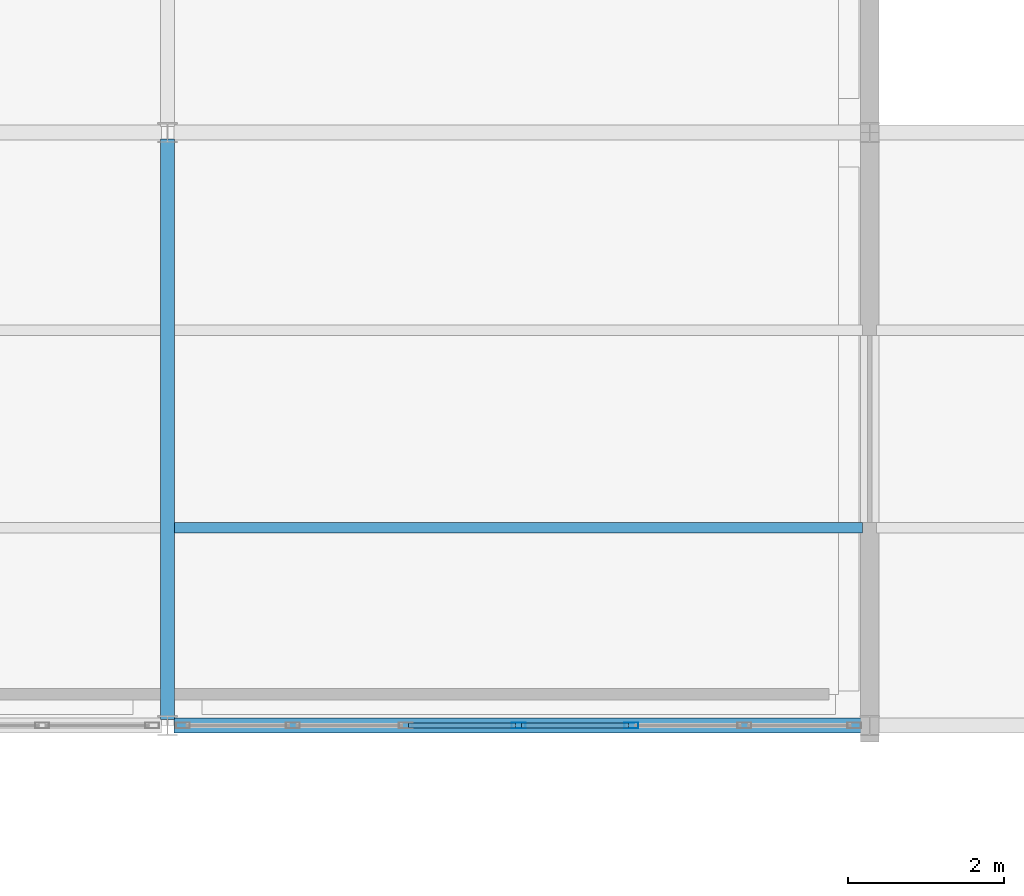
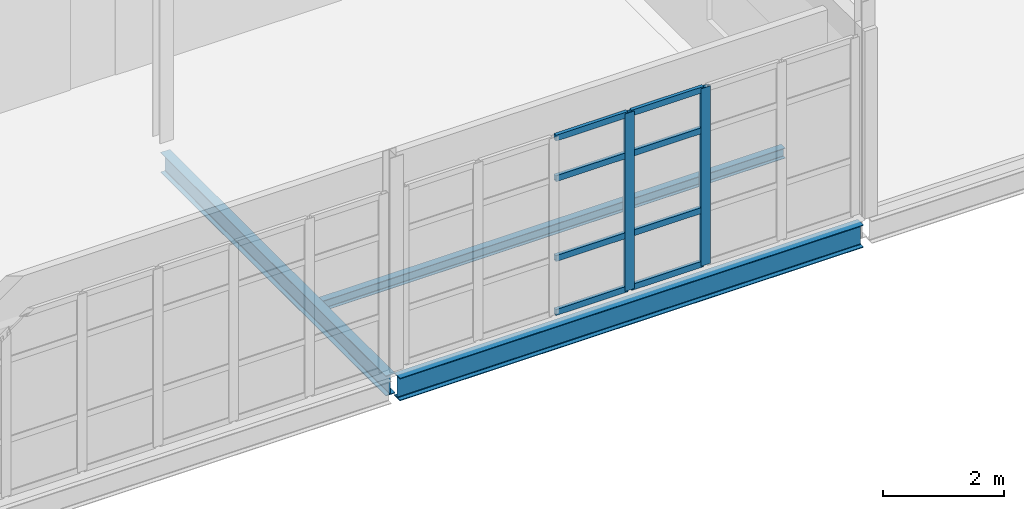
# One storey, part 36 of 96: 10 members, 3 beams, 1 element without a shape of its own.
"""IFC4 building model written with IfcOpenShell, lengths in metres."""

import ifcopenshell
import ifcopenshell.guid

model = None  # the IFC model being written
_history = None  # IfcOwnerHistory: only IFC2X3 demands one
_inside = {}  # id of a spatial element -> (the spatial element, [elements in it])
_under = {}  # id of a project, library or spatial element -> (it, [spatial elements below it])
_declared = {}  # id of a project -> (the project, [libraries it declares])
_typed = {}  # id of a type object -> (the type object, [elements of that type])
_made_of = {}  # id of a material, layer set ... -> (it, [elements and type objects made of it])


def new_model(schema):
    """Start an empty IFC model of exactly this schema.

    Asked for "IFC4X3", IfcOpenShell would pick the latest addendum, in which some entities
    have other attributes; the version numbers below select the first issue.
    IFC2X3 requires an IfcOwnerHistory on every rooted entity: one is made here for all.
    """
    global model, _history
    if schema == "IFC4X3":
        model = ifcopenshell.file(schema_version=(4, 3, 0, 0))
    else:
        model = ifcopenshell.file(schema=schema)
    _inside.clear()
    _under.clear()
    _declared.clear()
    _typed.clear()
    _made_of.clear()
    _history = None
    if model.schema == "IFC2X3":
        org = make("IfcOrganization", Name="unknown")
        user = make(
            "IfcPersonAndOrganization",
            ThePerson=make("IfcPerson", FamilyName="unknown"),
            TheOrganization=org,
        )
        app = make(
            "IfcApplication",
            ApplicationDeveloper=org,
            Version="unknown",
            ApplicationFullName="unknown",
            ApplicationIdentifier="unknown",
        )
        _history = make(
            "IfcOwnerHistory",
            OwningUser=user,
            OwningApplication=app,
            ChangeAction="ADDED",
            CreationDate=0,
        )
    return model


def make(cls, **values):
    """One entity of the class cls with the attributes given. An attribute that is None is left unset."""
    return model.create_entity(
        cls, **{name: value for name, value in values.items() if value is not None}
    )


def rooted(cls, **values):
    """An entity with a GlobalId (a new one), such as an element, a storey or a relation."""
    return make(cls, GlobalId=ifcopenshell.guid.new(), OwnerHistory=_history, **values)


def si_unit(unit_type, name, prefix=None):
    """IfcSIUnit, for example si_unit("LENGTHUNIT", "METRE", prefix="MILLI")."""
    return make("IfcSIUnit", UnitType=unit_type, Prefix=prefix, Name=name)


def assignment(units):
    """IfcUnitAssignment: the units of a project."""
    return None if units is None else make("IfcUnitAssignment", Units=units)


def point(xyz):
    """IfcCartesianPoint."""
    return None if xyz is None else make("IfcCartesianPoint", Coordinates=xyz)


def direction(xyz):
    """IfcDirection."""
    return None if xyz is None else make("IfcDirection", DirectionRatios=xyz)


def frame(location, z_axis=None, x_axis=None):
    """IfcAxis2Placement3D, a coordinate frame: its origin and axes. An axis left out is left unset."""
    return make(
        "IfcAxis2Placement3D",
        Location=point(location),
        Axis=direction(z_axis),
        RefDirection=direction(x_axis),
    )


def frame_2d(location, x_axis=None):
    """IfcAxis2Placement2D, a coordinate frame in the plane: its origin and x axis."""
    return make(
        "IfcAxis2Placement2D", Location=point(location), RefDirection=direction(x_axis)
    )


def origin():
    """The frame at (0, 0, 0) with its axes left unset."""
    return frame((0.0, 0.0, 0.0))


def origin_2d():
    """The frame at (0, 0) in the plane with its x axis left unset."""
    return frame_2d((0.0, 0.0))


def place(relative_to, where):
    """IfcLocalPlacement: puts the frame where relative to a parent placement (None: the world)."""
    return make(
        "IfcLocalPlacement", PlacementRelTo=relative_to, RelativePlacement=where
    )


def context(
    kind, dimensions, precision=None, world=None, true_north=None, identifier=None
):
    """IfcGeometricRepresentationContext, for example the 3D "Model" context."""
    return make(
        "IfcGeometricRepresentationContext",
        ContextIdentifier=identifier,
        ContextType=kind,
        CoordinateSpaceDimension=dimensions,
        Precision=precision,
        WorldCoordinateSystem=world,
        TrueNorth=true_north,
    )


def subcontext(parent, identifier, kind, view, scale=None):
    """IfcGeometricRepresentationSubContext, for example "Body" below "Model"."""
    return make(
        "IfcGeometricRepresentationSubContext",
        ContextIdentifier=identifier,
        ContextType=kind,
        ParentContext=parent,
        TargetScale=scale,
        TargetView=view,
    )


def project(units=None, contexts=None):
    """IfcProject with its units and contexts."""
    return rooted(
        "IfcProject",
        Name="project",
        RepresentationContexts=contexts,
        UnitsInContext=assignment(units),
    )


def spatial(cls, under=None, at=None, **own):
    """A site, building, storey or space (cls), placed at a placement, below another one or the project."""
    s = rooted(cls, ObjectPlacement=at, **own)
    if under is not None:
        _under.setdefault(under.id(), (under, []))[1].append(s)
    return s


def profile(cls, at=None, kind="AREA", **sizes):
    """A parametric profile (cls). Its sizes go by their IFC names, for example OverallWidth=200.0."""
    return make(cls, ProfileType=kind, Position=at, **sizes)


def hollow_rectangle(**sizes):
    """IfcRectangleHollowProfileDef."""
    return profile("IfcRectangleHollowProfileDef", **sizes)


def i_section(**sizes):
    """IfcIShapeProfileDef."""
    return profile("IfcIShapeProfileDef", **sizes)


def extrude(swept, where, along, depth):
    """IfcExtrudedAreaSolid: the profile swept, set in the frame where, extruded along a direction by depth."""
    return make(
        "IfcExtrudedAreaSolid",
        SweptArea=swept,
        Position=where,
        ExtrudedDirection=direction(along),
        Depth=depth,
    )


def shape(context_of_items, identifier, shape_type, items):
    """IfcShapeRepresentation: the items that make up one representation, for example the "Body"."""
    return make(
        "IfcShapeRepresentation",
        ContextOfItems=context_of_items,
        RepresentationIdentifier=identifier,
        RepresentationType=shape_type,
        Items=items,
    )


def material(Name=None, Category=None):
    """IfcMaterial."""
    return make("IfcMaterial", Name=Name, Category=Category)


def material_profile(
    of_material, cross_section, Name=None, Category=None, Priority=None
):
    """IfcMaterialProfile: a cross section and its material."""
    return make(
        "IfcMaterialProfile",
        Name=Name,
        Material=of_material,
        Profile=cross_section,
        Priority=Priority,
        Category=Category,
    )


def profile_set(profiles, Name=None, composite=None):
    """IfcMaterialProfileSet."""
    return make(
        "IfcMaterialProfileSet",
        Name=Name,
        MaterialProfiles=profiles,
        CompositeProfile=composite,
    )


def made_of(thing, what):
    """Note that an element or type object is made of a material, layer set ...; save() writes the relation."""
    if what is not None:
        _made_of.setdefault(what.id(), (what, []))[1].append(thing)
    return thing


def type_object(cls, material=None, **own):
    """A type object (cls), such as IfcWallType, which elements share."""
    return made_of(rooted(cls, **own), material)


def element(
    cls,
    number,
    at=None,
    inside=None,
    cuts=None,
    type_object=None,
    material=None,
    context=None,
    identifier="Body",
    shape_type=None,
    held_by="IfcProductDefinitionShape",
    body=None,
    shapes=None,
    **own,
):
    """One element of the class cls, such as IfcWall. Its Tag is "e" and its number.

    at: its placement. inside: the storey or other place that contains it. cuts: it is an
    opening in that element (IfcRelVoidsElement). A single representation is given by context,
    identifier, shape_type and body (its items); several are given by shapes. held_by: the class
    of the entity that holds the representations. save() writes the other relations.
    """
    e = rooted(cls, Tag="e%d" % number, ObjectPlacement=at, **own)
    if body is not None:
        shapes = [shape(context, identifier, shape_type, body)]
    if shapes is not None:
        e.Representation = make(held_by, Representations=shapes)
    if inside is not None:
        _inside.setdefault(inside.id(), (inside, []))[1].append(e)
    if cuts is not None:
        rooted(
            "IfcRelVoidsElement", RelatingBuildingElement=cuts, RelatedOpeningElement=e
        )
    if type_object is not None:
        _typed.setdefault(type_object.id(), (type_object, []))[1].append(e)
    return made_of(e, material)


def aggregate(whole, parts):
    """IfcRelAggregates: a whole, such as a stair, and the parts it consists of."""
    return rooted("IfcRelAggregates", RelatingObject=whole, RelatedObjects=parts)


def save(model, path):
    """Write the relations noted so far, then the file.

    IfcRelAggregates (storeys below a building ...), IfcRelContainedInSpatialStructure (elements
    in a storey), IfcRelDefinesByType, IfcRelAssociatesMaterial and IfcRelDeclares: one each for
    every whole, place, type object, material and project.
    """
    for whole, parts in _under.values():
        aggregate(whole, parts)
    for where, things in _inside.values():
        rooted(
            "IfcRelContainedInSpatialStructure",
            RelatedElements=things,
            RelatingStructure=where,
        )
    for kind, things in _typed.values():
        rooted("IfcRelDefinesByType", RelatedObjects=things, RelatingType=kind)
    for what, things in _made_of.values():
        rooted("IfcRelAssociatesMaterial", RelatedObjects=things, RelatingMaterial=what)
    for by, libraries in _declared.values():
        rooted("IfcRelDeclares", RelatingContext=by, RelatedDefinitions=libraries)
    model.write(path)


model = new_model("IFC4")

# Units and contexts
model_context = context("Model", 3, precision=1e-05, world=origin(), true_north=direction((0.0, 1.0)))
body_context = subcontext(model_context, "Body", "Model", "MODEL_VIEW")
ifc_project = project(units=[si_unit("LENGTHUNIT", "METRE"), si_unit("AREAUNIT", "SQUARE_METRE"), si_unit("VOLUMEUNIT", "CUBIC_METRE"), si_unit("PLANEANGLEUNIT", "RADIAN"), si_unit("MASSUNIT", "GRAM", prefix="KILO")], contexts=[model_context])

# Site, building, storey
site_placement = place(None, origin())
site = spatial("IfcSite", under=ifc_project, at=site_placement, CompositionType="ELEMENT")
building_placement = place(site_placement, origin())
building = spatial("IfcBuilding", under=site, at=building_placement, Name="Caisbarro Railhouse Central Library", CompositionType="ELEMENT")
storey_placement = place(building_placement, frame((0.0, 0.0, 13.679931640625)))
storey = spatial("IfcBuildingStorey", under=building, at=storey_placement, Name="L03", CompositionType="ELEMENT", Elevation=13.679931640625)

# Beams
ifc_material_1 = material(Name="Steel ASTM A572 Grade 50", Category="steel")
ifc_material_profile_1 = material_profile(ifc_material_1, i_section(OverallWidth=0.177978515625, OverallDepth=0.406982421875, WebThickness=0.0078125, FlangeThickness=0.0126953125, FilletRadius=0.01611328125, at=origin_2d()), Name="W410X60.0")
ifc_profile_set_1 = profile_set([ifc_material_profile_1], Name="Steel ASTM A572 Grade 50")
beam_type_1 = type_object("IfcBeamType", Name="BM-G10", PredefinedType="BEAM", material=ifc_profile_set_1)
beam_1_placement = place(storey_placement, frame((90.0, 83.679931640625, -0.4033203125), z_axis=(0.0, 1.0, 0.0), x_axis=(-1.0, 0.0, 0.0)))
element("IfcBeam", 1, at=beam_1_placement, inside=storey, type_object=beam_type_1, Name="G10 beam L03 #1987", PredefinedType="BEAM", context=body_context, shape_type="SweptSolid", body=[
    extrude(i_section(OverallWidth=0.177978515625, OverallDepth=0.406982421875, WebThickness=0.0078125, FlangeThickness=0.0126953125, FilletRadius=0.01611328125, at=origin_2d()), origin(), (0.0, 0.0, 1.0), 7.440185546875),
])
ifc_material_profile_2 = material_profile(ifc_material_1, i_section(OverallWidth=0.133056640625, OverallDepth=0.20703125, WebThickness=0.005859375, FlangeThickness=0.00830078125, FilletRadius=0.010009765625, at=origin_2d()), Name="W200X26.6")
ifc_profile_set_2 = profile_set([ifc_material_profile_2], Name="Steel ASTM A572 Grade 50")
beam_type_2 = type_object("IfcBeamType", Name="BM-J07", PredefinedType="JOIST", material=ifc_profile_set_2)
beam_2_placement = place(storey_placement, frame((90.089111328125, 86.13330078125, -0.303466796875), z_axis=(1.0, 0.0, 0.0), x_axis=(0.0, 1.0, 0.0)))
element("IfcBeam", 2, at=beam_2_placement, inside=storey, type_object=beam_type_2, Name="J07 beam L03 #2009", PredefinedType="JOIST", context=body_context, shape_type="SweptSolid", body=[
    extrude(i_section(OverallWidth=0.133056640625, OverallDepth=0.20703125, WebThickness=0.005859375, FlangeThickness=0.00830078125, FilletRadius=0.010009765625, at=origin_2d()), origin(), (0.0, 0.0, 1.0), 8.82177734375),
])
ifc_material_profile_3 = material_profile(ifc_material_1, i_section(OverallWidth=0.18994140625, OverallDepth=0.45703125, WebThickness=0.009033203125, FlangeThickness=0.014404296875, FilletRadius=0.01806640625, at=origin_2d()), Name="W460X74.0")
ifc_profile_set_3 = profile_set([ifc_material_profile_3], Name="Steel ASTM A572 Grade 50")
beam_type_3 = type_object("IfcBeamType", Name="BM-SP01", PredefinedType="SPANDREL", material=ifc_profile_set_3)
beam_3_placement = place(storey_placement, frame((90.080078125, 83.60009765625, -0.428466796875), z_axis=(1.0, 0.0, 0.0), x_axis=(0.0, 1.0, 0.0)))
element("IfcBeam", 3, at=beam_3_placement, inside=storey, type_object=beam_type_3, Name="SP01 beam L03 #1969", PredefinedType="SPANDREL", context=body_context, shape_type="SweptSolid", body=[
    extrude(i_section(OverallWidth=0.18994140625, OverallDepth=0.45703125, WebThickness=0.009033203125, FlangeThickness=0.014404296875, FilletRadius=0.01806640625, at=origin_2d()), origin(), (0.0, 0.0, 1.0), 8.83984375),
])

# Curtain wall, members
ifc_material_2 = material(Name="Anodised architectural aluminium", Category="aluminium")
curtain_wall_type = type_object("IfcCurtainWallType", Name="CW-CW02", PredefinedType="NOTDEFINED", material=ifc_material_2)
curtain_wall_placement = place(storey_placement, origin())
curtain_wall = element("IfcCurtainWall", 4, at=curtain_wall_placement, inside=storey, type_object=curtain_wall_type, Name="CW02 curtain wall L03 #190", PredefinedType="NOTDEFINED")
ifc_material_profile_4 = material_profile(ifc_material_2, hollow_rectangle(XDim=0.074951171875, YDim=0.179931640625, WallThickness=0.00439453125, at=origin_2d()), Name="ALU-MUL-75X180")
ifc_profile_set_4 = profile_set([ifc_material_profile_4], Name="Anodised architectural aluminium")
member_type_1 = type_object("IfcMemberType", Name="CWM-M01", PredefinedType="MULLION", material=ifc_profile_set_4)
member_1_placement = place(storey_placement, frame((94.5, 83.60009765625, 0.0), z_axis=(0.0, 0.0, 1.0), x_axis=(0.0, 1.0, 0.0)))
member_1 = element("IfcMember", 5, at=member_1_placement, type_object=member_type_1, Name="CW02 mullion 4", PredefinedType="MULLION", context=body_context, shape_type="SweptSolid", body=[
    extrude(hollow_rectangle(XDim=0.074951171875, YDim=0.179931640625, WallThickness=0.00439453125, at=origin_2d()), origin(), (0.0, 0.0, 1.0), 3.580078125),
])
member_2_placement = place(storey_placement, frame((95.94677734375, 83.60009765625, 0.0), z_axis=(0.0, 0.0, 1.0), x_axis=(0.0, 1.0, 0.0)))
member_2 = element("IfcMember", 6, at=member_2_placement, type_object=member_type_1, Name="CW02 mullion 5", PredefinedType="MULLION", context=body_context, shape_type="SweptSolid", body=[
    extrude(hollow_rectangle(XDim=0.074951171875, YDim=0.179931640625, WallThickness=0.00439453125, at=origin_2d()), origin(), (0.0, 0.0, 1.0), 3.580078125),
])
ifc_material_profile_5 = material_profile(ifc_material_2, hollow_rectangle(XDim=0.06494140625, YDim=0.1201171875, WallThickness=0.00341796875, at=origin_2d()), Name="ALU-TRN-65X120")
ifc_profile_set_5 = profile_set([ifc_material_profile_5], Name="Anodised architectural aluminium")
member_type_2 = type_object("IfcMemberType", Name="CWT-T02", PredefinedType="USERDEFINED", material=ifc_profile_set_5)
member_3_placement = place(storey_placement, frame((93.0908203125, 83.60009765625, 0.032470703125), z_axis=(1.0, 0.0, 0.0), x_axis=(0.0, 1.0, 0.0)))
member_3 = element("IfcMember", 7, at=member_3_placement, type_object=member_type_2, Name="CW02 transom 3.1", ObjectType="TRANSOM", PredefinedType="USERDEFINED", context=body_context, shape_type="SweptSolid", body=[
    extrude(hollow_rectangle(XDim=0.06494140625, YDim=0.1201171875, WallThickness=0.00341796875, at=origin_2d()), origin(), (0.0, 0.0, 1.0), 1.37158203125),
])
member_4_placement = place(storey_placement, frame((93.0908203125, 83.60009765625, 1.1201171875), z_axis=(1.0, 0.0, 0.0), x_axis=(0.0, 1.0, 0.0)))
member_4 = element("IfcMember", 8, at=member_4_placement, type_object=member_type_2, Name="CW02 transom 3.2", ObjectType="TRANSOM", PredefinedType="USERDEFINED", context=body_context, shape_type="SweptSolid", body=[
    extrude(hollow_rectangle(XDim=0.06494140625, YDim=0.1201171875, WallThickness=0.00341796875, at=origin_2d()), origin(), (0.0, 0.0, 1.0), 1.37158203125),
])
member_5_placement = place(storey_placement, frame((93.0908203125, 83.60009765625, 2.72998046875), z_axis=(1.0, 0.0, 0.0), x_axis=(0.0, 1.0, 0.0)))
member_5 = element("IfcMember", 9, at=member_5_placement, type_object=member_type_2, Name="CW02 transom 3.3", ObjectType="TRANSOM", PredefinedType="USERDEFINED", context=body_context, shape_type="SweptSolid", body=[
    extrude(hollow_rectangle(XDim=0.06494140625, YDim=0.1201171875, WallThickness=0.00341796875, at=origin_2d()), origin(), (0.0, 0.0, 1.0), 1.37158203125),
])
member_6_placement = place(storey_placement, frame((93.0908203125, 83.60009765625, 3.547607421875), z_axis=(1.0, 0.0, 0.0), x_axis=(0.0, 1.0, 0.0)))
member_6 = element("IfcMember", 10, at=member_6_placement, type_object=member_type_2, Name="CW02 transom 3.4", ObjectType="TRANSOM", PredefinedType="USERDEFINED", context=body_context, shape_type="SweptSolid", body=[
    extrude(hollow_rectangle(XDim=0.06494140625, YDim=0.1201171875, WallThickness=0.00341796875, at=origin_2d()), origin(), (0.0, 0.0, 1.0), 1.37158203125),
])
member_7_placement = place(storey_placement, frame((94.53759765625, 83.60009765625, 0.032470703125), z_axis=(1.0, 0.0, 0.0), x_axis=(0.0, 1.0, 0.0)))
member_7 = element("IfcMember", 11, at=member_7_placement, type_object=member_type_2, Name="CW02 transom 4.1", ObjectType="TRANSOM", PredefinedType="USERDEFINED", context=body_context, shape_type="SweptSolid", body=[
    extrude(hollow_rectangle(XDim=0.06494140625, YDim=0.1201171875, WallThickness=0.00341796875, at=origin_2d()), origin(), (0.0, 0.0, 1.0), 1.37158203125),
])
member_8_placement = place(storey_placement, frame((94.53759765625, 83.60009765625, 1.1201171875), z_axis=(1.0, 0.0, 0.0), x_axis=(0.0, 1.0, 0.0)))
member_8 = element("IfcMember", 12, at=member_8_placement, type_object=member_type_2, Name="CW02 transom 4.2", ObjectType="TRANSOM", PredefinedType="USERDEFINED", context=body_context, shape_type="SweptSolid", body=[
    extrude(hollow_rectangle(XDim=0.06494140625, YDim=0.1201171875, WallThickness=0.00341796875, at=origin_2d()), origin(), (0.0, 0.0, 1.0), 1.37158203125),
])
member_9_placement = place(storey_placement, frame((94.53759765625, 83.60009765625, 2.72998046875), z_axis=(1.0, 0.0, 0.0), x_axis=(0.0, 1.0, 0.0)))
member_9 = element("IfcMember", 13, at=member_9_placement, type_object=member_type_2, Name="CW02 transom 4.3", ObjectType="TRANSOM", PredefinedType="USERDEFINED", context=body_context, shape_type="SweptSolid", body=[
    extrude(hollow_rectangle(XDim=0.06494140625, YDim=0.1201171875, WallThickness=0.00341796875, at=origin_2d()), origin(), (0.0, 0.0, 1.0), 1.37158203125),
])
member_10_placement = place(storey_placement, frame((94.53759765625, 83.60009765625, 3.547607421875), z_axis=(1.0, 0.0, 0.0), x_axis=(0.0, 1.0, 0.0)))
member_10 = element("IfcMember", 14, at=member_10_placement, type_object=member_type_2, Name="CW02 transom 4.4", ObjectType="TRANSOM", PredefinedType="USERDEFINED", context=body_context, shape_type="SweptSolid", body=[
    extrude(hollow_rectangle(XDim=0.06494140625, YDim=0.1201171875, WallThickness=0.00341796875, at=origin_2d()), origin(), (0.0, 0.0, 1.0), 1.37158203125),
])
aggregate(curtain_wall, [member_1, member_2, member_3, member_4, member_5, member_6, member_7, member_8, member_9, member_10])

save(model, "model.ifc")
